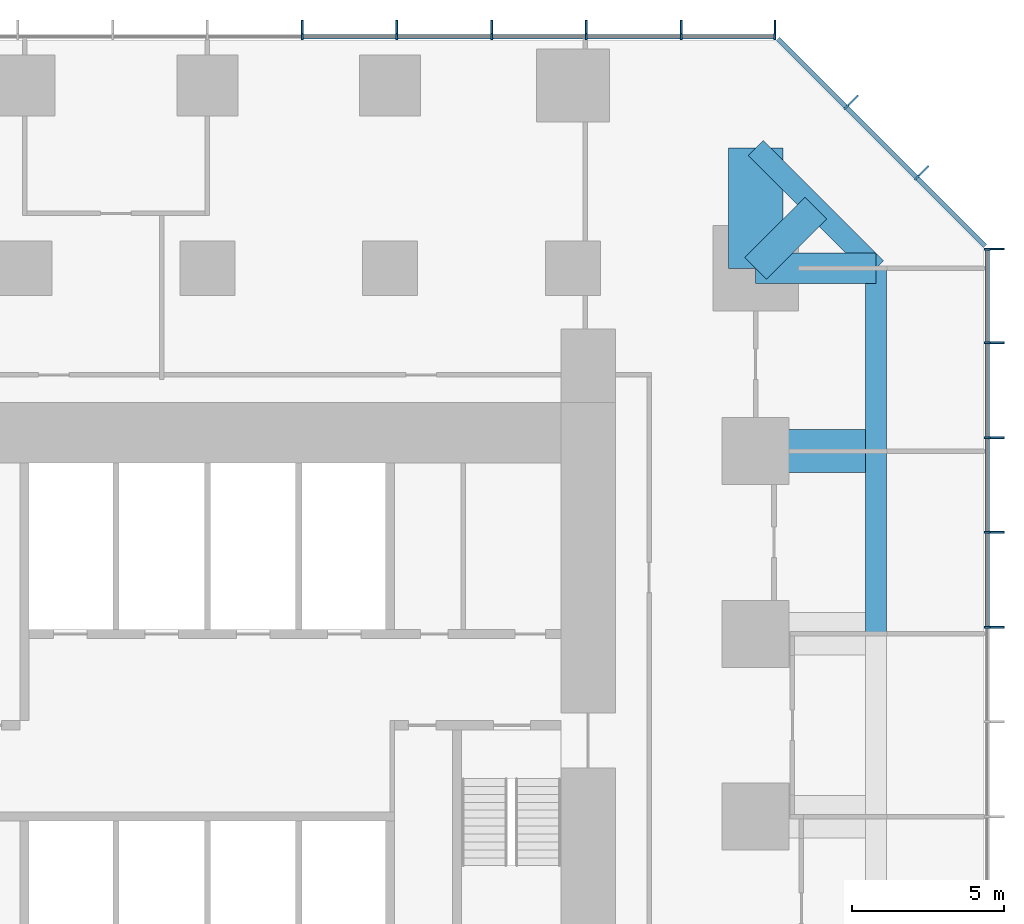
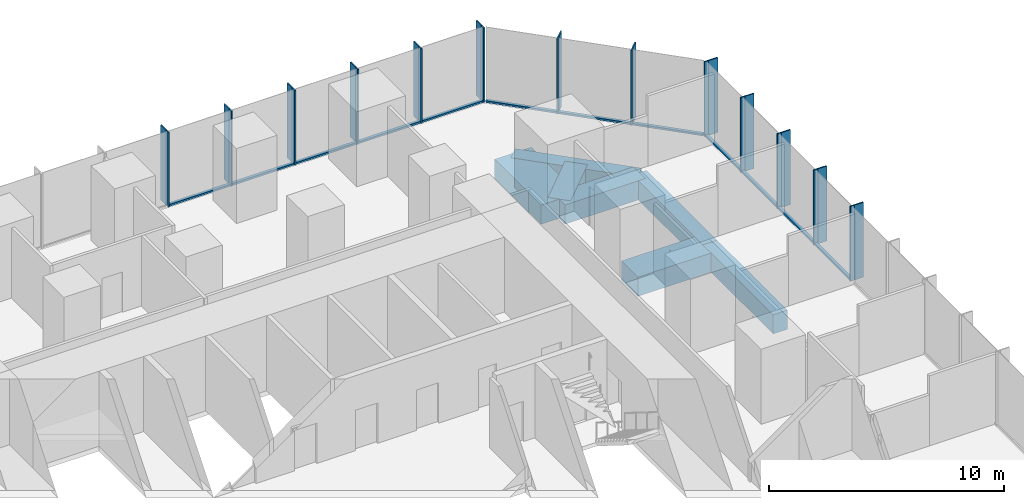
# One storey, part 6 of 12: 38 members, 7 beams, 3 elements without a shape of their own.
"""IFC4 building model written with IfcOpenShell, lengths in metres."""

from ifc_helpers import new_model, si_unit, direction, frame, origin, origin_2d, place, context, subcontext, project, spatial, rectangle, extrude, material, layer, layer_set, material_profile, profile_set, type_object, element, aggregate, save


model = new_model("IFC4")

# Units and contexts
model_context = context("Model", 3, precision=1e-05, world=origin(), true_north=direction((0.0, 1.0)))
body_context = subcontext(model_context, "Body", "Model", "MODEL_VIEW")
ifc_project = project(units=[si_unit("LENGTHUNIT", "METRE"), si_unit("AREAUNIT", "SQUARE_METRE"), si_unit("VOLUMEUNIT", "CUBIC_METRE"), si_unit("PLANEANGLEUNIT", "RADIAN"), si_unit("MASSUNIT", "GRAM", prefix="KILO")], contexts=[model_context])

# Site, building, storey
site_placement = place(None, origin())
site = spatial("IfcSite", under=ifc_project, at=site_placement, CompositionType="ELEMENT")
building_placement = place(site_placement, origin())
building = spatial("IfcBuilding", under=site, at=building_placement, Name="Highveld Stack Headquarters", CompositionType="ELEMENT")
storey_placement = place(building_placement, frame((0.0, 0.0, 41.60009765625)))
storey = spatial("IfcBuildingStorey", under=building, at=storey_placement, Name="L09", CompositionType="ELEMENT", Elevation=41.60009765625)

# Beams
ifc_material_1 = material(Name="Concrete C60/75", Category="concrete")
ifc_material_profile_1 = material_profile(ifc_material_1, rectangle(XDim=1.0, YDim=1.0, at=origin_2d()), Name="RC 1000x1000")
ifc_profile_set_1 = profile_set([ifc_material_profile_1], Name="Concrete C60/75")
beam_type_1 = type_object("IfcBeamType", Name="CANTILEVER RIB RC 1000x1000", PredefinedType="USERDEFINED", material=ifc_profile_set_1)
beam_1_placement = place(storey_placement, frame((24.0, 18.0, -0.75), z_axis=(1.0, 0.0, 0.0), x_axis=(0.0, 1.0, 0.0)))
element("IfcBeam", 1, at=beam_1_placement, inside=storey, type_object=beam_type_1, Name="Cantilever rib 10/H L09", ObjectType="CANTILEVER RIB", PredefinedType="USERDEFINED", context=body_context, shape_type="SweptSolid", body=[
    extrude(rectangle(XDim=1.0, YDim=1.0, at=origin_2d()), origin(), (0.0, 0.0, 1.0), 3.949951171875),
])
beam_2_placement = place(storey_placement, frame((24.0, 18.0, -0.75), z_axis=(0.707106781187, 0.707106781187, 0.0), x_axis=(-0.707106781187, 0.707106781187, 0.0)))
element("IfcBeam", 2, at=beam_2_placement, inside=storey, type_object=beam_type_1, Name="Cantilever rib 10/H L09", ObjectType="CANTILEVER RIB", PredefinedType="USERDEFINED", context=body_context, shape_type="SweptSolid", body=[
    extrude(rectangle(XDim=1.0, YDim=1.0, at=origin_2d()), origin(), (0.0, 0.0, 1.0), 2.793212890625),
])
ifc_material_2 = material(Name="Concrete C60/75", Category="concrete")
ifc_material_profile_2 = material_profile(ifc_material_2, rectangle(XDim=1.39990234375, YDim=1.0, at=origin_2d()), Name="RC 1400x1000")
ifc_profile_set_2 = profile_set([ifc_material_profile_2], Name="Concrete C60/75")
beam_type_2 = type_object("IfcBeamType", Name="CANTILEVER RIB RC 1400x1000", PredefinedType="USERDEFINED", material=ifc_profile_set_2)
beam_3_placement = place(storey_placement, frame((24.0, 12.0, -0.75), z_axis=(1.0, 0.0, 0.0), x_axis=(0.0, 1.0, 0.0)))
element("IfcBeam", 3, at=beam_3_placement, inside=storey, type_object=beam_type_2, Name="Cantilever rib 10/G L09", ObjectType="CANTILEVER RIB", PredefinedType="USERDEFINED", context=body_context, shape_type="SweptSolid", body=[
    extrude(rectangle(XDim=1.39990234375, YDim=1.0, at=origin_2d()), origin(), (0.0, 0.0, 1.0), 3.949951171875),
])
ifc_material_3 = material(Name="Concrete C60/75", Category="concrete")
ifc_material_profile_3 = material_profile(ifc_material_3, rectangle(XDim=1.800048828125, YDim=1.0, at=origin_2d()), Name="RC 1800x1000")
ifc_profile_set_3 = profile_set([ifc_material_profile_3], Name="Concrete C60/75")
beam_type_3 = type_object("IfcBeamType", Name="CANTILEVER RIB RC 1800x1000", PredefinedType="USERDEFINED", material=ifc_profile_set_3)
beam_4_placement = place(storey_placement, frame((24.0, 18.0, -0.75), z_axis=(0.0, 1.0, 0.0), x_axis=(-1.0, 0.0, 0.0)))
element("IfcBeam", 4, at=beam_4_placement, inside=storey, type_object=beam_type_3, Name="Cantilever rib 10/H L09", ObjectType="CANTILEVER RIB", PredefinedType="USERDEFINED", context=body_context, shape_type="SweptSolid", body=[
    extrude(rectangle(XDim=1.800048828125, YDim=1.0, at=origin_2d()), origin(), (0.0, 0.0, 1.0), 3.949951171875),
])

# Curtain wall, members
ifc_material_4 = material(Name="Aluminium bronze anodised", Category="aluminium")
ifc_layer_1 = layer(ifc_material_4, 0.199951171875)
ifc_layer_set_1 = layer_set([ifc_layer_1], Name="Aluminium bronze anodised")
curtain_wall_type_1 = type_object("IfcCurtainWallType", Name="CW1 TOWER UNITISED CURTAIN WALL", PredefinedType="NOTDEFINED", material=ifc_layer_set_1)
curtain_wall_1_placement = place(storey_placement, origin())
curtain_wall_1 = element("IfcCurtainWall", 5, at=curtain_wall_1_placement, inside=storey, type_object=curtain_wall_type_1, Name="Curtain wall CW1 L09 E", PredefinedType="NOTDEFINED")
ifc_material_5 = material(Name="Aluminium bronze anodised", Category="aluminium")
ifc_material_profile_4 = material_profile(ifc_material_5, rectangle(XDim=0.449951171875, YDim=0.06005859375, at=origin_2d()), Name="FIN 450x60")
ifc_profile_set_4 = profile_set([ifc_material_profile_4], Name="Aluminium bronze anodised")
member_type_1 = type_object("IfcMemberType", Name="CW1 BRONZE FIN 450x60", PredefinedType="USERDEFINED", material=ifc_profile_set_4)
member_1_placement = place(storey_placement, frame((31.925048828125, 6.220947265625, 0.0), z_axis=(0.0, 0.0, 1.0), x_axis=(-1.0, 0.0, 0.0)))
member_1 = element("IfcMember", 6, at=member_1_placement, type_object=member_type_1, Name="CW1 fin L09 9", ObjectType="FIN", PredefinedType="USERDEFINED", context=body_context, shape_type="SweptSolid", body=[
    extrude(rectangle(XDim=0.449951171875, YDim=0.06005859375, at=origin_2d()), origin(), (0.0, 0.0, 1.0), 3.89990234375),
])
member_2_placement = place(storey_placement, frame((31.925048828125, 9.331298828125, 0.0), z_axis=(0.0, 0.0, 1.0), x_axis=(-1.0, 0.0, 0.0)))
member_2 = element("IfcMember", 7, at=member_2_placement, type_object=member_type_1, Name="CW1 fin L09 10", ObjectType="FIN", PredefinedType="USERDEFINED", context=body_context, shape_type="SweptSolid", body=[
    extrude(rectangle(XDim=0.449951171875, YDim=0.06005859375, at=origin_2d()), origin(), (0.0, 0.0, 1.0), 3.89990234375),
])
member_3_placement = place(storey_placement, frame((31.925048828125, 12.44189453125, 0.0), z_axis=(0.0, 0.0, 1.0), x_axis=(-1.0, 0.0, 0.0)))
member_3 = element("IfcMember", 8, at=member_3_placement, type_object=member_type_1, Name="CW1 fin L09 11", ObjectType="FIN", PredefinedType="USERDEFINED", context=body_context, shape_type="SweptSolid", body=[
    extrude(rectangle(XDim=0.449951171875, YDim=0.06005859375, at=origin_2d()), origin(), (0.0, 0.0, 1.0), 3.89990234375),
])
member_4_placement = place(storey_placement, frame((31.925048828125, 15.55224609375, 0.0), z_axis=(0.0, 0.0, 1.0), x_axis=(-1.0, 0.0, 0.0)))
member_4 = element("IfcMember", 9, at=member_4_placement, type_object=member_type_1, Name="CW1 fin L09 12", ObjectType="FIN", PredefinedType="USERDEFINED", context=body_context, shape_type="SweptSolid", body=[
    extrude(rectangle(XDim=0.449951171875, YDim=0.06005859375, at=origin_2d()), origin(), (0.0, 0.0, 1.0), 3.89990234375),
])
member_5_placement = place(storey_placement, frame((31.925048828125, 18.630126953125, 0.0), z_axis=(0.0, 0.0, 1.0), x_axis=(-1.0, 0.0, 0.0)))
member_5 = element("IfcMember", 10, at=member_5_placement, type_object=member_type_1, Name="CW1 fin L09 13", ObjectType="FIN", PredefinedType="USERDEFINED", context=body_context, shape_type="SweptSolid", body=[
    extrude(rectangle(XDim=0.449951171875, YDim=0.06005859375, at=origin_2d()), origin(), (0.0, 0.0, 1.0), 3.89990234375),
])

curtain_wall_2_placement = place(storey_placement, origin())
curtain_wall_2 = element("IfcCurtainWall", 11, at=curtain_wall_2_placement, inside=storey, type_object=curtain_wall_type_1, Name="Curtain wall CW1 L09 N", PredefinedType="NOTDEFINED")
member_6_placement = place(storey_placement, frame((24.630126953125, 25.925048828125, 0.0), z_axis=(0.0, 0.0, 1.0), x_axis=(0.0, -1.0, 0.0)))
member_6 = element("IfcMember", 12, at=member_6_placement, type_object=member_type_1, Name="CW1 fin L09 1", ObjectType="FIN", PredefinedType="USERDEFINED", context=body_context, shape_type="SweptSolid", body=[
    extrude(rectangle(XDim=0.449951171875, YDim=0.06005859375, at=origin_2d()), origin(), (0.0, 0.0, 1.0), 3.89990234375),
])
member_7_placement = place(storey_placement, frame((21.55224609375, 25.925048828125, 0.0), z_axis=(0.0, 0.0, 1.0), x_axis=(0.0, -1.0, 0.0)))
member_7 = element("IfcMember", 13, at=member_7_placement, type_object=member_type_1, Name="CW1 fin L09 2", ObjectType="FIN", PredefinedType="USERDEFINED", context=body_context, shape_type="SweptSolid", body=[
    extrude(rectangle(XDim=0.449951171875, YDim=0.06005859375, at=origin_2d()), origin(), (0.0, 0.0, 1.0), 3.89990234375),
])
member_8_placement = place(storey_placement, frame((18.44189453125, 25.925048828125, 0.0), z_axis=(0.0, 0.0, 1.0), x_axis=(0.0, -1.0, 0.0)))
member_8 = element("IfcMember", 14, at=member_8_placement, type_object=member_type_1, Name="CW1 fin L09 3", ObjectType="FIN", PredefinedType="USERDEFINED", context=body_context, shape_type="SweptSolid", body=[
    extrude(rectangle(XDim=0.449951171875, YDim=0.06005859375, at=origin_2d()), origin(), (0.0, 0.0, 1.0), 3.89990234375),
])
member_9_placement = place(storey_placement, frame((15.331298828125, 25.925048828125, 0.0), z_axis=(0.0, 0.0, 1.0), x_axis=(0.0, -1.0, 0.0)))
member_9 = element("IfcMember", 15, at=member_9_placement, type_object=member_type_1, Name="CW1 fin L09 4", ObjectType="FIN", PredefinedType="USERDEFINED", context=body_context, shape_type="SweptSolid", body=[
    extrude(rectangle(XDim=0.449951171875, YDim=0.06005859375, at=origin_2d()), origin(), (0.0, 0.0, 1.0), 3.89990234375),
])
member_10_placement = place(storey_placement, frame((12.220947265625, 25.925048828125, 0.0), z_axis=(0.0, 0.0, 1.0), x_axis=(0.0, -1.0, 0.0)))
member_10 = element("IfcMember", 16, at=member_10_placement, type_object=member_type_1, Name="CW1 fin L09 5", ObjectType="FIN", PredefinedType="USERDEFINED", context=body_context, shape_type="SweptSolid", body=[
    extrude(rectangle(XDim=0.449951171875, YDim=0.06005859375, at=origin_2d()), origin(), (0.0, 0.0, 1.0), 3.89990234375),
])
member_11_placement = place(storey_placement, frame((9.110595703125, 25.925048828125, 0.0), z_axis=(0.0, 0.0, 1.0), x_axis=(0.0, -1.0, 0.0)))
member_11 = element("IfcMember", 17, at=member_11_placement, type_object=member_type_1, Name="CW1 fin L09 6", ObjectType="FIN", PredefinedType="USERDEFINED", context=body_context, shape_type="SweptSolid", body=[
    extrude(rectangle(XDim=0.449951171875, YDim=0.06005859375, at=origin_2d()), origin(), (0.0, 0.0, 1.0), 3.89990234375),
])

# Member
ifc_material_6 = material(Name="Aluminium bronze anodised", Category="aluminium")
ifc_material_profile_5 = material_profile(ifc_material_6, rectangle(XDim=0.199951171875, YDim=0.06494140625, at=origin_2d()), Name="CW1 MULLION 65x200")
ifc_profile_set_5 = profile_set([ifc_material_profile_5], Name="Aluminium bronze anodised")
member_type_2 = type_object("IfcMemberType", Name="CW1 MULLION 65x200", PredefinedType="MULLION", material=ifc_profile_set_5)
member_12_placement = place(storey_placement, frame((31.60009765625, 6.220947265625, 0.0), z_axis=(0.0, 0.0, 1.0), x_axis=(-1.0, 0.0, 0.0)))
member_12 = element("IfcMember", 18, at=member_12_placement, type_object=member_type_2, Name="CW1 mullion L09 9", PredefinedType="MULLION", context=body_context, shape_type="SweptSolid", body=[
    extrude(rectangle(XDim=0.199951171875, YDim=0.06494140625, at=origin_2d()), origin(), (0.0, 0.0, 1.0), 3.89990234375),
])

member_13_placement = place(storey_placement, frame((31.60009765625, 9.331298828125, 0.0), z_axis=(0.0, 0.0, 1.0), x_axis=(-1.0, 0.0, 0.0)))
member_13 = element("IfcMember", 19, at=member_13_placement, type_object=member_type_2, Name="CW1 mullion L09 10", PredefinedType="MULLION", context=body_context, shape_type="SweptSolid", body=[
    extrude(rectangle(XDim=0.199951171875, YDim=0.06494140625, at=origin_2d()), origin(), (0.0, 0.0, 1.0), 3.89990234375),
])

member_14_placement = place(storey_placement, frame((31.60009765625, 12.44189453125, 0.0), z_axis=(0.0, 0.0, 1.0), x_axis=(-1.0, 0.0, 0.0)))
member_14 = element("IfcMember", 20, at=member_14_placement, type_object=member_type_2, Name="CW1 mullion L09 11", PredefinedType="MULLION", context=body_context, shape_type="SweptSolid", body=[
    extrude(rectangle(XDim=0.199951171875, YDim=0.06494140625, at=origin_2d()), origin(), (0.0, 0.0, 1.0), 3.89990234375),
])

member_15_placement = place(storey_placement, frame((31.60009765625, 15.55224609375, 0.0), z_axis=(0.0, 0.0, 1.0), x_axis=(-1.0, 0.0, 0.0)))
member_15 = element("IfcMember", 21, at=member_15_placement, type_object=member_type_2, Name="CW1 mullion L09 12", PredefinedType="MULLION", context=body_context, shape_type="SweptSolid", body=[
    extrude(rectangle(XDim=0.199951171875, YDim=0.06494140625, at=origin_2d()), origin(), (0.0, 0.0, 1.0), 3.89990234375),
])

member_16_placement = place(storey_placement, frame((31.60009765625, 18.630126953125, 0.0), z_axis=(0.0, 0.0, 1.0), x_axis=(-1.0, 0.0, 0.0)))
member_16 = element("IfcMember", 22, at=member_16_placement, type_object=member_type_2, Name="CW1 mullion L09 13", PredefinedType="MULLION", context=body_context, shape_type="SweptSolid", body=[
    extrude(rectangle(XDim=0.199951171875, YDim=0.06494140625, at=origin_2d()), origin(), (0.0, 0.0, 1.0), 3.89990234375),
])

member_17_placement = place(storey_placement, frame((24.630126953125, 25.60009765625, 0.0), z_axis=(0.0, 0.0, 1.0), x_axis=(0.0, -1.0, 0.0)))
member_17 = element("IfcMember", 23, at=member_17_placement, type_object=member_type_2, Name="CW1 mullion L09 1", PredefinedType="MULLION", context=body_context, shape_type="SweptSolid", body=[
    extrude(rectangle(XDim=0.199951171875, YDim=0.06494140625, at=origin_2d()), origin(), (0.0, 0.0, 1.0), 3.89990234375),
])

member_18_placement = place(storey_placement, frame((21.55224609375, 25.60009765625, 0.0), z_axis=(0.0, 0.0, 1.0), x_axis=(0.0, -1.0, 0.0)))
member_18 = element("IfcMember", 24, at=member_18_placement, type_object=member_type_2, Name="CW1 mullion L09 2", PredefinedType="MULLION", context=body_context, shape_type="SweptSolid", body=[
    extrude(rectangle(XDim=0.199951171875, YDim=0.06494140625, at=origin_2d()), origin(), (0.0, 0.0, 1.0), 3.89990234375),
])

member_19_placement = place(storey_placement, frame((18.44189453125, 25.60009765625, 0.0), z_axis=(0.0, 0.0, 1.0), x_axis=(0.0, -1.0, 0.0)))
member_19 = element("IfcMember", 25, at=member_19_placement, type_object=member_type_2, Name="CW1 mullion L09 3", PredefinedType="MULLION", context=body_context, shape_type="SweptSolid", body=[
    extrude(rectangle(XDim=0.199951171875, YDim=0.06494140625, at=origin_2d()), origin(), (0.0, 0.0, 1.0), 3.89990234375),
])

member_20_placement = place(storey_placement, frame((15.331298828125, 25.60009765625, 0.0), z_axis=(0.0, 0.0, 1.0), x_axis=(0.0, -1.0, 0.0)))
member_20 = element("IfcMember", 26, at=member_20_placement, type_object=member_type_2, Name="CW1 mullion L09 4", PredefinedType="MULLION", context=body_context, shape_type="SweptSolid", body=[
    extrude(rectangle(XDim=0.199951171875, YDim=0.06494140625, at=origin_2d()), origin(), (0.0, 0.0, 1.0), 3.89990234375),
])

member_21_placement = place(storey_placement, frame((12.220947265625, 25.60009765625, 0.0), z_axis=(0.0, 0.0, 1.0), x_axis=(0.0, -1.0, 0.0)))
member_21 = element("IfcMember", 27, at=member_21_placement, type_object=member_type_2, Name="CW1 mullion L09 5", PredefinedType="MULLION", context=body_context, shape_type="SweptSolid", body=[
    extrude(rectangle(XDim=0.199951171875, YDim=0.06494140625, at=origin_2d()), origin(), (0.0, 0.0, 1.0), 3.89990234375),
])

member_22_placement = place(storey_placement, frame((9.110595703125, 25.60009765625, 0.0), z_axis=(0.0, 0.0, 1.0), x_axis=(0.0, -1.0, 0.0)))
member_22 = element("IfcMember", 28, at=member_22_placement, type_object=member_type_2, Name="CW1 mullion L09 6", PredefinedType="MULLION", context=body_context, shape_type="SweptSolid", body=[
    extrude(rectangle(XDim=0.199951171875, YDim=0.06494140625, at=origin_2d()), origin(), (0.0, 0.0, 1.0), 3.89990234375),
])

ifc_material_7 = material(Name="Aluminium bronze anodised", Category="aluminium")
ifc_material_profile_6 = material_profile(ifc_material_7, rectangle(XDim=0.14990234375, YDim=0.10009765625, at=origin_2d()), Name="CW1 TRANSOM 150x100")
ifc_profile_set_6 = profile_set([ifc_material_profile_6], Name="Aluminium bronze anodised")
member_type_3 = type_object("IfcMemberType", Name="CW1 STACK TRANSOM 150x100", PredefinedType="USERDEFINED", material=ifc_profile_set_6)
member_23_placement = place(storey_placement, frame((31.60009765625, 6.25341796875, 0.0498046875), z_axis=(0.0, 1.0, 0.0), x_axis=(-1.0, 0.0, 0.0)))
member_23 = element("IfcMember", 29, at=member_23_placement, type_object=member_type_3, Name="CW1 transom L09 9.1", ObjectType="TRANSOM", PredefinedType="USERDEFINED", context=body_context, shape_type="SweptSolid", body=[
    extrude(rectangle(XDim=0.14990234375, YDim=0.10009765625, at=origin_2d()), origin(), (0.0, 0.0, 1.0), 3.04541015625),
])

member_24_placement = place(storey_placement, frame((31.60009765625, 9.36376953125, 0.0498046875), z_axis=(0.0, 1.0, 0.0), x_axis=(-1.0, 0.0, 0.0)))
member_24 = element("IfcMember", 30, at=member_24_placement, type_object=member_type_3, Name="CW1 transom L09 10.1", ObjectType="TRANSOM", PredefinedType="USERDEFINED", context=body_context, shape_type="SweptSolid", body=[
    extrude(rectangle(XDim=0.14990234375, YDim=0.10009765625, at=origin_2d()), origin(), (0.0, 0.0, 1.0), 3.04541015625),
])

member_25_placement = place(storey_placement, frame((31.60009765625, 12.474365234375, 0.0498046875), z_axis=(0.0, 1.0, 0.0), x_axis=(-1.0, 0.0, 0.0)))
member_25 = element("IfcMember", 31, at=member_25_placement, type_object=member_type_3, Name="CW1 transom L09 11.1", ObjectType="TRANSOM", PredefinedType="USERDEFINED", context=body_context, shape_type="SweptSolid", body=[
    extrude(rectangle(XDim=0.14990234375, YDim=0.10009765625, at=origin_2d()), origin(), (0.0, 0.0, 1.0), 3.04541015625),
])

member_26_placement = place(storey_placement, frame((31.60009765625, 15.584716796875, 0.0498046875), z_axis=(0.0, 1.0, 0.0), x_axis=(-1.0, 0.0, 0.0)))
member_26 = element("IfcMember", 32, at=member_26_placement, type_object=member_type_3, Name="CW1 transom L09 12.1", ObjectType="TRANSOM", PredefinedType="USERDEFINED", context=body_context, shape_type="SweptSolid", body=[
    extrude(rectangle(XDim=0.14990234375, YDim=0.10009765625, at=origin_2d()), origin(), (0.0, 0.0, 1.0), 3.012939453125),
])

aggregate(curtain_wall_1, [member_12, member_1, member_13, member_2, member_14, member_3, member_15, member_4, member_16, member_5, member_23, member_24, member_25, member_26])

member_27_placement = place(storey_placement, frame((24.59765625, 25.60009765625, 0.0498046875), z_axis=(-1.0, 0.0, 0.0), x_axis=(0.0, -1.0, 0.0)))
member_27 = element("IfcMember", 33, at=member_27_placement, type_object=member_type_3, Name="CW1 transom L09 1.1", ObjectType="TRANSOM", PredefinedType="USERDEFINED", context=body_context, shape_type="SweptSolid", body=[
    extrude(rectangle(XDim=0.14990234375, YDim=0.10009765625, at=origin_2d()), origin(), (0.0, 0.0, 1.0), 3.012939453125),
])

member_28_placement = place(storey_placement, frame((21.519775390625, 25.60009765625, 0.0498046875), z_axis=(-1.0, 0.0, 0.0), x_axis=(0.0, -1.0, 0.0)))
member_28 = element("IfcMember", 34, at=member_28_placement, type_object=member_type_3, Name="CW1 transom L09 2.1", ObjectType="TRANSOM", PredefinedType="USERDEFINED", context=body_context, shape_type="SweptSolid", body=[
    extrude(rectangle(XDim=0.14990234375, YDim=0.10009765625, at=origin_2d()), origin(), (0.0, 0.0, 1.0), 3.04541015625),
])

member_29_placement = place(storey_placement, frame((18.4091796875, 25.60009765625, 0.0498046875), z_axis=(-1.0, 0.0, 0.0), x_axis=(0.0, -1.0, 0.0)))
member_29 = element("IfcMember", 35, at=member_29_placement, type_object=member_type_3, Name="CW1 transom L09 3.1", ObjectType="TRANSOM", PredefinedType="USERDEFINED", context=body_context, shape_type="SweptSolid", body=[
    extrude(rectangle(XDim=0.14990234375, YDim=0.10009765625, at=origin_2d()), origin(), (0.0, 0.0, 1.0), 3.045166015625),
])

member_30_placement = place(storey_placement, frame((15.298828125, 25.60009765625, 0.0498046875), z_axis=(-1.0, 0.0, 0.0), x_axis=(0.0, -1.0, 0.0)))
member_30 = element("IfcMember", 36, at=member_30_placement, type_object=member_type_3, Name="CW1 transom L09 4.1", ObjectType="TRANSOM", PredefinedType="USERDEFINED", context=body_context, shape_type="SweptSolid", body=[
    extrude(rectangle(XDim=0.14990234375, YDim=0.10009765625, at=origin_2d()), origin(), (0.0, 0.0, 1.0), 3.04541015625),
])

member_31_placement = place(storey_placement, frame((12.1884765625, 25.60009765625, 0.0498046875), z_axis=(-1.0, 0.0, 0.0), x_axis=(0.0, -1.0, 0.0)))
member_31 = element("IfcMember", 37, at=member_31_placement, type_object=member_type_3, Name="CW1 transom L09 5.1", ObjectType="TRANSOM", PredefinedType="USERDEFINED", context=body_context, shape_type="SweptSolid", body=[
    extrude(rectangle(XDim=0.14990234375, YDim=0.10009765625, at=origin_2d()), origin(), (0.0, 0.0, 1.0), 3.04541015625),
])

aggregate(curtain_wall_2, [member_17, member_6, member_18, member_7, member_19, member_8, member_20, member_9, member_21, member_10, member_22, member_11, member_27, member_28, member_29, member_30, member_31])

# Curtain wall, members
ifc_material_8 = material(Name="Aluminium bronze anodised", Category="aluminium")
ifc_layer_2 = layer(ifc_material_8, 0.199951171875)
ifc_layer_set_2 = layer_set([ifc_layer_2], Name="Aluminium bronze anodised")
curtain_wall_type_2 = type_object("IfcCurtainWallType", Name="CW2 TOWER CHAMFER UNITISED CURTAIN WALL", PredefinedType="NOTDEFINED", material=ifc_layer_set_2)
curtain_wall_3_placement = place(storey_placement, origin())
curtain_wall_3 = element("IfcCurtainWall", 38, at=curtain_wall_3_placement, inside=storey, type_object=curtain_wall_type_2, Name="Curtain wall CW2 L09 NE", PredefinedType="NOTDEFINED")
ifc_material_9 = material(Name="Aluminium bronze anodised", Category="aluminium")
ifc_material_profile_7 = material_profile(ifc_material_9, rectangle(XDim=0.449951171875, YDim=0.06005859375, at=origin_2d()), Name="FIN 450x60")
ifc_profile_set_7 = profile_set([ifc_material_profile_7], Name="Aluminium bronze anodised")
member_type_4 = type_object("IfcMemberType", Name="CW2 BRONZE FIN 450x60", PredefinedType="USERDEFINED", material=ifc_profile_set_7)
member_32_placement = place(storey_placement, frame((29.517333984375, 21.204833984375, 0.0), z_axis=(0.0, 0.0, 1.0), x_axis=(-0.707106781187, -0.707106781187, 0.0)))
member_32 = element("IfcMember", 39, at=member_32_placement, type_object=member_type_4, Name="CW2 fin L09 1", ObjectType="FIN", PredefinedType="USERDEFINED", context=body_context, shape_type="SweptSolid", body=[
    extrude(rectangle(XDim=0.449951171875, YDim=0.06005859375, at=origin_2d()), origin(), (0.0, 0.0, 1.0), 3.89990234375),
])
member_33_placement = place(storey_placement, frame((27.204833984375, 23.517333984375, 0.0), z_axis=(0.0, 0.0, 1.0), x_axis=(-0.707106781187, -0.707106781187, 0.0)))
member_33 = element("IfcMember", 40, at=member_33_placement, type_object=member_type_4, Name="CW2 fin L09 2", ObjectType="FIN", PredefinedType="USERDEFINED", context=body_context, shape_type="SweptSolid", body=[
    extrude(rectangle(XDim=0.449951171875, YDim=0.06005859375, at=origin_2d()), origin(), (0.0, 0.0, 1.0), 3.89990234375),
])
ifc_material_10 = material(Name="Aluminium bronze anodised", Category="aluminium")
ifc_material_profile_8 = material_profile(ifc_material_10, rectangle(XDim=0.199951171875, YDim=0.06494140625, at=origin_2d()), Name="CW2 MULLION 65x200")
ifc_profile_set_8 = profile_set([ifc_material_profile_8], Name="Aluminium bronze anodised")
member_type_5 = type_object("IfcMemberType", Name="CW2 MULLION 65x200", PredefinedType="MULLION", material=ifc_profile_set_8)
member_34_placement = place(storey_placement, frame((29.28759765625, 20.97509765625, 0.0), z_axis=(0.0, 0.0, 1.0), x_axis=(-0.707106781187, -0.707106781187, 0.0)))
member_34 = element("IfcMember", 41, at=member_34_placement, type_object=member_type_5, Name="CW2 mullion L09 1", PredefinedType="MULLION", context=body_context, shape_type="SweptSolid", body=[
    extrude(rectangle(XDim=0.199951171875, YDim=0.06494140625, at=origin_2d()), origin(), (0.0, 0.0, 1.0), 3.89990234375),
])
member_35_placement = place(storey_placement, frame((26.97509765625, 23.28759765625, 0.0), z_axis=(0.0, 0.0, 1.0), x_axis=(-0.707106781187, -0.707106781187, 0.0)))
member_35 = element("IfcMember", 42, at=member_35_placement, type_object=member_type_5, Name="CW2 mullion L09 2", PredefinedType="MULLION", context=body_context, shape_type="SweptSolid", body=[
    extrude(rectangle(XDim=0.199951171875, YDim=0.06494140625, at=origin_2d()), origin(), (0.0, 0.0, 1.0), 3.89990234375),
])
ifc_material_11 = material(Name="Aluminium bronze anodised", Category="aluminium")
ifc_material_profile_9 = material_profile(ifc_material_11, rectangle(XDim=0.14990234375, YDim=0.10009765625, at=origin_2d()), Name="CW2 TRANSOM 150x100")
ifc_profile_set_9 = profile_set([ifc_material_profile_9], Name="Aluminium bronze anodised")
member_type_6 = type_object("IfcMemberType", Name="CW2 STACK TRANSOM 150x100", PredefinedType="USERDEFINED", material=ifc_profile_set_9)
member_36_placement = place(storey_placement, frame((31.529296875, 18.7333984375, 0.0498046875), z_axis=(-0.707106781187, 0.707106781187, 0.0), x_axis=(-0.707106781187, -0.707106781187, 0.0)))
member_36 = element("IfcMember", 43, at=member_36_placement, type_object=member_type_6, Name="CW2 transom L09 1.1", ObjectType="TRANSOM", PredefinedType="USERDEFINED", context=body_context, shape_type="SweptSolid", body=[
    extrude(rectangle(XDim=0.14990234375, YDim=0.10009765625, at=origin_2d()), origin(), (0.0, 0.0, 1.0), 3.1376953125),
])
member_37_placement = place(storey_placement, frame((29.2646484375, 20.998046875, 0.0498046875), z_axis=(-0.707106781187, 0.707106781187, 0.0), x_axis=(-0.707106781187, -0.707106781187, 0.0)))
member_37 = element("IfcMember", 44, at=member_37_placement, type_object=member_type_6, Name="CW2 transom L09 2.1", ObjectType="TRANSOM", PredefinedType="USERDEFINED", context=body_context, shape_type="SweptSolid", body=[
    extrude(rectangle(XDim=0.14990234375, YDim=0.10009765625, at=origin_2d()), origin(), (0.0, 0.0, 1.0), 3.20556640625),
])
member_38_placement = place(storey_placement, frame((26.9521484375, 23.310546875, 0.0498046875), z_axis=(-0.707106781187, 0.707106781187, 0.0), x_axis=(-0.707106781187, -0.707106781187, 0.0)))
member_38 = element("IfcMember", 45, at=member_38_placement, type_object=member_type_6, Name="CW2 transom L09 3.1", ObjectType="TRANSOM", PredefinedType="USERDEFINED", context=body_context, shape_type="SweptSolid", body=[
    extrude(rectangle(XDim=0.14990234375, YDim=0.10009765625, at=origin_2d()), origin(), (0.0, 0.0, 1.0), 3.1376953125),
])
aggregate(curtain_wall_3, [member_34, member_32, member_35, member_33, member_36, member_37, member_38])

# Beams
ifc_material_12 = material(Name="Concrete C60/75", Category="concrete")
ifc_material_profile_10 = material_profile(ifc_material_12, rectangle(XDim=0.699951171875, YDim=1.0, at=origin_2d()), Name="RC 700x1000")
ifc_profile_set_10 = profile_set([ifc_material_profile_10], Name="Concrete C60/75")
beam_type_4 = type_object("IfcBeamType", Name="RIB TIP BEAM RC 700x1000", PredefinedType="SPANDREL", material=ifc_profile_set_10)
for number, where, z_axis, x_axis, name in (
    (46, (27.949951171875, 6.0, -0.75), (0.0, 1.0, 0.0), (-1.0, 0.0, 0.0), "Rib tip beam 10/F to 10/G L09"),
    (47, (27.949951171875, 12.0, -0.75), (0.0, 1.0, 0.0), (-1.0, 0.0, 0.0), "Rib tip beam 10/G to 10/H L09"),
):
    element("IfcBeam", number, at=place(storey_placement, frame(where, z_axis=z_axis, x_axis=x_axis)), inside=storey, type_object=beam_type_4, Name=name, PredefinedType="SPANDREL", context=body_context, shape_type="SweptSolid", body=[
        extrude(rectangle(XDim=0.699951171875, YDim=1.0, at=origin_2d()), origin(), (0.0, 0.0, 1.0), 6.0),
    ])
beam_5_placement = place(storey_placement, frame((27.949951171875, 18.0, -0.75), z_axis=(-0.707106781187, 0.707106781187, 0.0), x_axis=(-0.707106781187, -0.707106781187, 0.0)))
element("IfcBeam", 48, at=beam_5_placement, inside=storey, type_object=beam_type_4, Name="Rib tip beam 10/H corner L09", PredefinedType="SPANDREL", context=body_context, shape_type="SweptSolid", body=[
    extrude(rectangle(XDim=0.699951171875, YDim=1.0, at=origin_2d()), origin(), (0.0, 0.0, 1.0), 5.586181640625),
])

save(model, "model.ifc")
